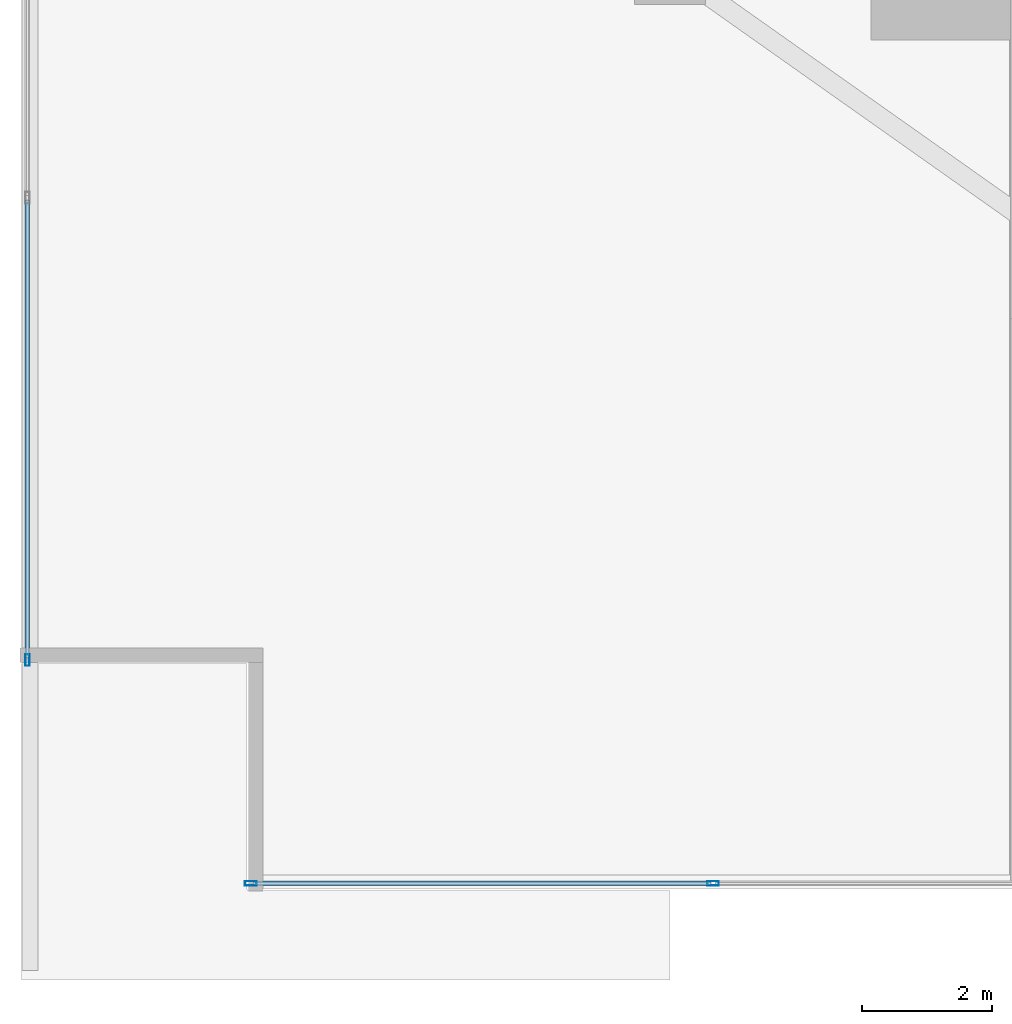
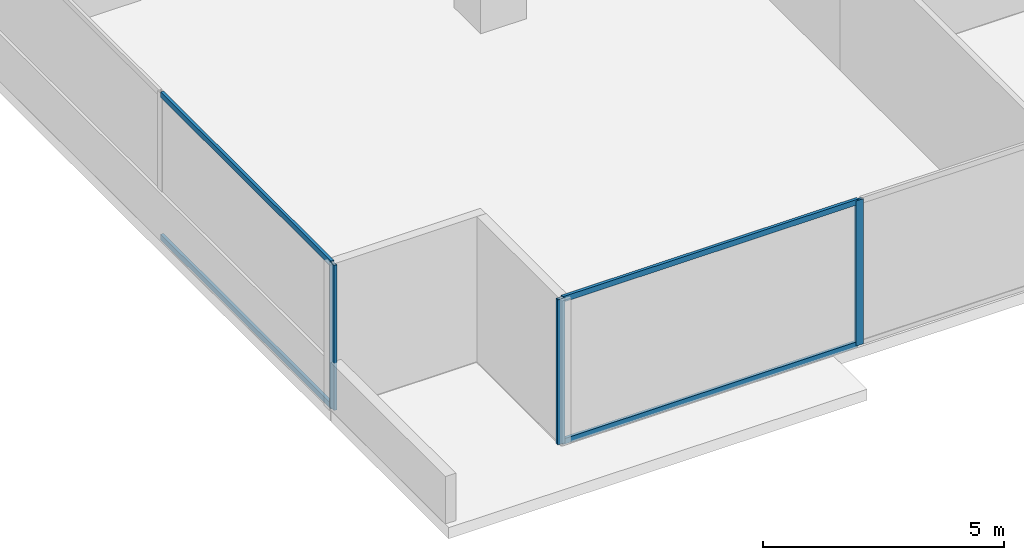
# One storey, part 2 of 30: 7 members, 2 elements without a shape of their own.
"""IFC4 building model written with IfcOpenShell, lengths in metres."""

import ifcopenshell
import ifcopenshell.guid

model = None  # the IFC model being written
_history = None  # IfcOwnerHistory: only IFC2X3 demands one
_inside = {}  # id of a spatial element -> (the spatial element, [elements in it])
_under = {}  # id of a project, library or spatial element -> (it, [spatial elements below it])
_declared = {}  # id of a project -> (the project, [libraries it declares])
_typed = {}  # id of a type object -> (the type object, [elements of that type])
_made_of = {}  # id of a material, layer set ... -> (it, [elements and type objects made of it])


def new_model(schema):
    """Start an empty IFC model of exactly this schema.

    Asked for "IFC4X3", IfcOpenShell would pick the latest addendum, in which some entities
    have other attributes; the version numbers below select the first issue.
    IFC2X3 requires an IfcOwnerHistory on every rooted entity: one is made here for all.
    """
    global model, _history
    if schema == "IFC4X3":
        model = ifcopenshell.file(schema_version=(4, 3, 0, 0))
    else:
        model = ifcopenshell.file(schema=schema)
    _inside.clear()
    _under.clear()
    _declared.clear()
    _typed.clear()
    _made_of.clear()
    _history = None
    if model.schema == "IFC2X3":
        org = make("IfcOrganization", Name="unknown")
        user = make(
            "IfcPersonAndOrganization",
            ThePerson=make("IfcPerson", FamilyName="unknown"),
            TheOrganization=org,
        )
        app = make(
            "IfcApplication",
            ApplicationDeveloper=org,
            Version="unknown",
            ApplicationFullName="unknown",
            ApplicationIdentifier="unknown",
        )
        _history = make(
            "IfcOwnerHistory",
            OwningUser=user,
            OwningApplication=app,
            ChangeAction="ADDED",
            CreationDate=0,
        )
    return model


def make(cls, **values):
    """One entity of the class cls with the attributes given. An attribute that is None is left unset."""
    return model.create_entity(
        cls, **{name: value for name, value in values.items() if value is not None}
    )


def rooted(cls, **values):
    """An entity with a GlobalId (a new one), such as an element, a storey or a relation."""
    return make(cls, GlobalId=ifcopenshell.guid.new(), OwnerHistory=_history, **values)


def si_unit(unit_type, name, prefix=None):
    """IfcSIUnit, for example si_unit("LENGTHUNIT", "METRE", prefix="MILLI")."""
    return make("IfcSIUnit", UnitType=unit_type, Prefix=prefix, Name=name)


def assignment(units):
    """IfcUnitAssignment: the units of a project."""
    return None if units is None else make("IfcUnitAssignment", Units=units)


def point(xyz):
    """IfcCartesianPoint."""
    return None if xyz is None else make("IfcCartesianPoint", Coordinates=xyz)


def direction(xyz):
    """IfcDirection."""
    return None if xyz is None else make("IfcDirection", DirectionRatios=xyz)


def frame(location, z_axis=None, x_axis=None):
    """IfcAxis2Placement3D, a coordinate frame: its origin and axes. An axis left out is left unset."""
    return make(
        "IfcAxis2Placement3D",
        Location=point(location),
        Axis=direction(z_axis),
        RefDirection=direction(x_axis),
    )


def frame_2d(location, x_axis=None):
    """IfcAxis2Placement2D, a coordinate frame in the plane: its origin and x axis."""
    return make(
        "IfcAxis2Placement2D", Location=point(location), RefDirection=direction(x_axis)
    )


def origin():
    """The frame at (0, 0, 0) with its axes left unset."""
    return frame((0.0, 0.0, 0.0))


def origin_2d():
    """The frame at (0, 0) in the plane with its x axis left unset."""
    return frame_2d((0.0, 0.0))


def place(relative_to, where):
    """IfcLocalPlacement: puts the frame where relative to a parent placement (None: the world)."""
    return make(
        "IfcLocalPlacement", PlacementRelTo=relative_to, RelativePlacement=where
    )


def context(
    kind, dimensions, precision=None, world=None, true_north=None, identifier=None
):
    """IfcGeometricRepresentationContext, for example the 3D "Model" context."""
    return make(
        "IfcGeometricRepresentationContext",
        ContextIdentifier=identifier,
        ContextType=kind,
        CoordinateSpaceDimension=dimensions,
        Precision=precision,
        WorldCoordinateSystem=world,
        TrueNorth=true_north,
    )


def subcontext(parent, identifier, kind, view, scale=None):
    """IfcGeometricRepresentationSubContext, for example "Body" below "Model"."""
    return make(
        "IfcGeometricRepresentationSubContext",
        ContextIdentifier=identifier,
        ContextType=kind,
        ParentContext=parent,
        TargetScale=scale,
        TargetView=view,
    )


def project(units=None, contexts=None):
    """IfcProject with its units and contexts."""
    return rooted(
        "IfcProject",
        Name="project",
        RepresentationContexts=contexts,
        UnitsInContext=assignment(units),
    )


def spatial(cls, under=None, at=None, **own):
    """A site, building, storey or space (cls), placed at a placement, below another one or the project."""
    s = rooted(cls, ObjectPlacement=at, **own)
    if under is not None:
        _under.setdefault(under.id(), (under, []))[1].append(s)
    return s


def profile(cls, at=None, kind="AREA", **sizes):
    """A parametric profile (cls). Its sizes go by their IFC names, for example OverallWidth=200.0."""
    return make(cls, ProfileType=kind, Position=at, **sizes)


def hollow_rectangle(**sizes):
    """IfcRectangleHollowProfileDef."""
    return profile("IfcRectangleHollowProfileDef", **sizes)


def extrude(swept, where, along, depth):
    """IfcExtrudedAreaSolid: the profile swept, set in the frame where, extruded along a direction by depth."""
    return make(
        "IfcExtrudedAreaSolid",
        SweptArea=swept,
        Position=where,
        ExtrudedDirection=direction(along),
        Depth=depth,
    )


def shape(context_of_items, identifier, shape_type, items):
    """IfcShapeRepresentation: the items that make up one representation, for example the "Body"."""
    return make(
        "IfcShapeRepresentation",
        ContextOfItems=context_of_items,
        RepresentationIdentifier=identifier,
        RepresentationType=shape_type,
        Items=items,
    )


def source(mapping_origin, context_of_items, identifier, shape_type, items):
    """IfcRepresentationMap: a shape defined once, which mapped items show again and again."""
    return make(
        "IfcRepresentationMap",
        MappingOrigin=mapping_origin,
        MappedRepresentation=shape(context_of_items, identifier, shape_type, items),
    )


def transform(
    local_origin,
    x_axis=None,
    y_axis=None,
    z_axis=None,
    scale=None,
    scale2=None,
    scale3=None,
    uniform=True,
):
    """IfcCartesianTransformationOperator3D, or its non-uniform kind. x_axis, y_axis, z_axis: its Axis1, 2, 3."""
    if uniform:
        return make(
            "IfcCartesianTransformationOperator3D",
            Axis1=direction(x_axis),
            Axis2=direction(y_axis),
            LocalOrigin=point(local_origin),
            Scale=scale,
            Axis3=direction(z_axis),
        )
    return make(
        "IfcCartesianTransformationOperator3DnonUniform",
        Axis1=direction(x_axis),
        Axis2=direction(y_axis),
        LocalOrigin=point(local_origin),
        Scale=scale,
        Axis3=direction(z_axis),
        Scale2=scale2,
        Scale3=scale3,
    )


def mapped(mapping_source, mapping_target):
    """IfcMappedItem: shows the shape of a source again, moved by a transform."""
    return make(
        "IfcMappedItem", MappingSource=mapping_source, MappingTarget=mapping_target
    )


def material(Name=None, Category=None):
    """IfcMaterial."""
    return make("IfcMaterial", Name=Name, Category=Category)


def material_profile(
    of_material, cross_section, Name=None, Category=None, Priority=None
):
    """IfcMaterialProfile: a cross section and its material."""
    return make(
        "IfcMaterialProfile",
        Name=Name,
        Material=of_material,
        Profile=cross_section,
        Priority=Priority,
        Category=Category,
    )


def profile_set(profiles, Name=None, composite=None):
    """IfcMaterialProfileSet."""
    return make(
        "IfcMaterialProfileSet",
        Name=Name,
        MaterialProfiles=profiles,
        CompositeProfile=composite,
    )


def made_of(thing, what):
    """Note that an element or type object is made of a material, layer set ...; save() writes the relation."""
    if what is not None:
        _made_of.setdefault(what.id(), (what, []))[1].append(thing)
    return thing


def type_object(cls, material=None, **own):
    """A type object (cls), such as IfcWallType, which elements share."""
    return made_of(rooted(cls, **own), material)


def type_shapes(of_type, sources):
    """Give a type object the sources (RepresentationMaps) that its elements show as mapped items."""
    of_type.RepresentationMaps = sources


def element(
    cls,
    number,
    at=None,
    inside=None,
    cuts=None,
    type_object=None,
    material=None,
    context=None,
    identifier="Body",
    shape_type=None,
    held_by="IfcProductDefinitionShape",
    body=None,
    shapes=None,
    **own,
):
    """One element of the class cls, such as IfcWall. Its Tag is "e" and its number.

    at: its placement. inside: the storey or other place that contains it. cuts: it is an
    opening in that element (IfcRelVoidsElement). A single representation is given by context,
    identifier, shape_type and body (its items); several are given by shapes. held_by: the class
    of the entity that holds the representations. save() writes the other relations.
    """
    e = rooted(cls, Tag="e%d" % number, ObjectPlacement=at, **own)
    if body is not None:
        shapes = [shape(context, identifier, shape_type, body)]
    if shapes is not None:
        e.Representation = make(held_by, Representations=shapes)
    if inside is not None:
        _inside.setdefault(inside.id(), (inside, []))[1].append(e)
    if cuts is not None:
        rooted(
            "IfcRelVoidsElement", RelatingBuildingElement=cuts, RelatedOpeningElement=e
        )
    if type_object is not None:
        _typed.setdefault(type_object.id(), (type_object, []))[1].append(e)
    return made_of(e, material)


def aggregate(whole, parts):
    """IfcRelAggregates: a whole, such as a stair, and the parts it consists of."""
    return rooted("IfcRelAggregates", RelatingObject=whole, RelatedObjects=parts)


def save(model, path):
    """Write the relations noted so far, then the file.

    IfcRelAggregates (storeys below a building ...), IfcRelContainedInSpatialStructure (elements
    in a storey), IfcRelDefinesByType, IfcRelAssociatesMaterial and IfcRelDeclares: one each for
    every whole, place, type object, material and project.
    """
    for whole, parts in _under.values():
        aggregate(whole, parts)
    for where, things in _inside.values():
        rooted(
            "IfcRelContainedInSpatialStructure",
            RelatedElements=things,
            RelatingStructure=where,
        )
    for kind, things in _typed.values():
        rooted("IfcRelDefinesByType", RelatedObjects=things, RelatingType=kind)
    for what, things in _made_of.values():
        rooted("IfcRelAssociatesMaterial", RelatedObjects=things, RelatingMaterial=what)
    for by, libraries in _declared.values():
        rooted("IfcRelDeclares", RelatingContext=by, RelatedDefinitions=libraries)
    model.write(path)


model = new_model("IFC4")

# Units and contexts
model_context = context("Model", 3, precision=1e-05, world=origin(), true_north=direction((0.0, 1.0)))
body_context = subcontext(model_context, "Body", "Model", "MODEL_VIEW")
ifc_project = project(units=[si_unit("LENGTHUNIT", "METRE"), si_unit("AREAUNIT", "SQUARE_METRE"), si_unit("VOLUMEUNIT", "CUBIC_METRE"), si_unit("PLANEANGLEUNIT", "RADIAN"), si_unit("MASSUNIT", "GRAM", prefix="KILO")], contexts=[model_context])

# Site, building, storey
site_placement = place(None, origin())
site = spatial("IfcSite", under=ifc_project, at=site_placement, CompositionType="ELEMENT")
building_placement = place(site_placement, origin())
building = spatial("IfcBuilding", under=site, at=building_placement, Name="Krantzveldt Concourse Tower", CompositionType="ELEMENT")
storey_placement = place(building_placement, frame((0.0, 0.0, 25.0)))
storey = spatial("IfcBuildingStorey", under=building, at=storey_placement, Name="L05", CompositionType="ELEMENT", Elevation=25.0)

# Curtain wall, member
ifc_material = material(Name="Anodised aluminium 6063-T6", Category="aluminium")
curtain_wall_type = type_object("IfcCurtainWallType", Name="CW2", PredefinedType="USERDEFINED", material=ifc_material)
curtain_wall_1_placement = place(storey_placement, origin())
curtain_wall_1 = element("IfcCurtainWall", 1, at=curtain_wall_1_placement, inside=storey, type_object=curtain_wall_type, Name="CW-L05-F01", ObjectType="UNITISED CURTAIN WALL", PredefinedType="USERDEFINED")
ifc_material_profile_1 = material_profile(ifc_material, hollow_rectangle(XDim=0.070068359375, YDim=0.179931640625, WallThickness=0.0048828125, at=origin_2d()), Name="Anodised aluminium 6063-T6", Category="aluminium")
ifc_profile_set_1 = profile_set([ifc_material_profile_1], Name="Anodised aluminium 6063-T6 - ALU-MULL 180x70x5")
member_type_1 = type_object("IfcMemberType", Name="CW-MUL-180", PredefinedType="MULLION", material=ifc_profile_set_1)
shared_shape_1 = source(origin(), body_context, "Body", "SweptSolid", [
    extrude(hollow_rectangle(XDim=0.070068359375, YDim=0.179931640625, WallThickness=0.0048828125, at=origin_2d()), origin(), (0.0, 0.0, 1.0), 3.669921875),
])
type_shapes(member_type_1, [shared_shape_1])
member_1_placement = place(storey_placement, frame((11.090087890625, 5.235107421875, 0.0), z_axis=(0.0, 0.0, 1.0), x_axis=(1.0, 0.0, 0.0)))
member_1 = element("IfcMember", 2, at=member_1_placement, type_object=member_type_1, Name="CW-Z12 mullion 7", PredefinedType="MULLION", context=body_context, shape_type="MappedRepresentation", body=[
    mapped(shared_shape_1, transform((0.0, 0.0, 0.0), x_axis=(1.0, 0.0, 0.0), y_axis=(0.0, 1.0, 0.0), z_axis=(0.0, 0.0, 1.0), scale=1.0)),
])

# Curtain wall, members
curtain_wall_2_placement = place(storey_placement, origin())
curtain_wall_2 = element("IfcCurtainWall", 3, at=curtain_wall_2_placement, inside=storey, type_object=curtain_wall_type, Name="CW-L05-F04", ObjectType="UNITISED CURTAIN WALL", PredefinedType="USERDEFINED")
member_2_placement = place(storey_placement, frame((14.534912109375, 1.7900390625, 0.0), z_axis=(0.0, 0.0, 1.0), x_axis=(0.0, 1.0, 0.0)))
member_2 = element("IfcMember", 4, at=member_2_placement, type_object=member_type_1, Name="CW-Z12 mullion 1", PredefinedType="MULLION", context=body_context, shape_type="MappedRepresentation", body=[
    mapped(shared_shape_1, transform((0.0, 0.0, 0.0), x_axis=(1.0, 0.0, 0.0), y_axis=(0.0, 1.0, 0.0), z_axis=(0.0, 0.0, 1.0), scale=1.0)),
])
member_3_placement = place(storey_placement, frame((21.666748046875, 1.7900390625, 0.0), z_axis=(0.0, 0.0, 1.0), x_axis=(0.0, 1.0, 0.0)))
member_3 = element("IfcMember", 5, at=member_3_placement, type_object=member_type_1, Name="CW-Z12 mullion 2", PredefinedType="MULLION", context=body_context, shape_type="MappedRepresentation", body=[
    mapped(shared_shape_1, transform((0.0, 0.0, 0.0), x_axis=(1.0, 0.0, 0.0), y_axis=(0.0, 1.0, 0.0), z_axis=(0.0, 0.0, 1.0), scale=1.0)),
])
ifc_material_profile_2 = material_profile(ifc_material, hollow_rectangle(XDim=0.070068359375, YDim=0.139892578125, WallThickness=0.0048828125, at=origin_2d()), Name="Anodised aluminium 6063-T6", Category="aluminium")
ifc_profile_set_2 = profile_set([ifc_material_profile_2], Name="Anodised aluminium 6063-T6 - ALU-TRAN 140x70x5")
member_type_2 = type_object("IfcMemberType", Name="CW-TRN-150", PredefinedType="USERDEFINED", material=ifc_profile_set_2)
shared_shape_2 = source(origin(), body_context, "Body", "SweptSolid", [
    extrude(hollow_rectangle(XDim=0.070068359375, YDim=0.139892578125, WallThickness=0.0048828125, at=origin_2d()), origin(), (0.0, 0.0, 1.0), 7.0615234375),
])
member_4_placement = place(storey_placement, frame((14.570068359375, 1.7900390625, 0.034912109375), z_axis=(1.0, 0.0, 0.0), x_axis=(0.0, 1.0, 0.0)))
member_4 = element("IfcMember", 6, at=member_4_placement, type_object=member_type_2, Name="CW-Z12 transom 1.1", ObjectType="TRANSOM", PredefinedType="USERDEFINED", context=body_context, shape_type="MappedRepresentation", body=[
    mapped(shared_shape_2, transform((0.0, 0.0, 0.0), x_axis=(1.0, 0.0, 0.0), y_axis=(0.0, 1.0, 0.0), z_axis=(0.0, 0.0, 1.0), scale=1.0)),
])
member_5_placement = place(storey_placement, frame((14.570068359375, 1.7900390625, 3.635009765625), z_axis=(1.0, 0.0, 0.0), x_axis=(0.0, 1.0, 0.0)))
member_5 = element("IfcMember", 7, at=member_5_placement, type_object=member_type_2, Name="CW-Z12 transom 1.2", ObjectType="TRANSOM", PredefinedType="USERDEFINED", context=body_context, shape_type="MappedRepresentation", body=[
    mapped(shared_shape_2, transform((0.0, 0.0, 0.0), x_axis=(1.0, 0.0, 0.0), y_axis=(0.0, 1.0, 0.0), z_axis=(0.0, 0.0, 1.0), scale=1.0)),
])
aggregate(curtain_wall_2, [member_2, member_3, member_4, member_5])

# Member
shared_shape_3 = source(origin(), body_context, "Body", "SweptSolid", [
    extrude(hollow_rectangle(XDim=0.070068359375, YDim=0.139892578125, WallThickness=0.0048828125, at=origin_2d()), origin(), (0.0, 0.0, 1.0), 7.061767578125),
])
type_shapes(member_type_2, [shared_shape_2, shared_shape_3])
member_6_placement = place(storey_placement, frame((11.090087890625, 12.331787109375, 0.034912109375), z_axis=(0.0, -1.0, 0.0), x_axis=(1.0, 0.0, 0.0)))
member_6 = element("IfcMember", 8, at=member_6_placement, type_object=member_type_2, Name="CW-Z12 transom 6.1", ObjectType="TRANSOM", PredefinedType="USERDEFINED", context=body_context, shape_type="MappedRepresentation", body=[
    mapped(shared_shape_3, transform((0.0, 0.0, 0.0), x_axis=(1.0, 0.0, 0.0), y_axis=(0.0, 1.0, 0.0), z_axis=(0.0, 0.0, 1.0), scale=1.0)),
])

member_7_placement = place(storey_placement, frame((11.090087890625, 12.331787109375, 3.635009765625), z_axis=(0.0, -1.0, 0.0), x_axis=(1.0, 0.0, 0.0)))
member_7 = element("IfcMember", 9, at=member_7_placement, type_object=member_type_2, Name="CW-Z12 transom 6.2", ObjectType="TRANSOM", PredefinedType="USERDEFINED", context=body_context, shape_type="MappedRepresentation", body=[
    mapped(shared_shape_3, transform((0.0, 0.0, 0.0), x_axis=(1.0, 0.0, 0.0), y_axis=(0.0, 1.0, 0.0), z_axis=(0.0, 0.0, 1.0), scale=1.0)),
])

aggregate(curtain_wall_1, [member_1, member_6, member_7])

save(model, "model.ifc")
